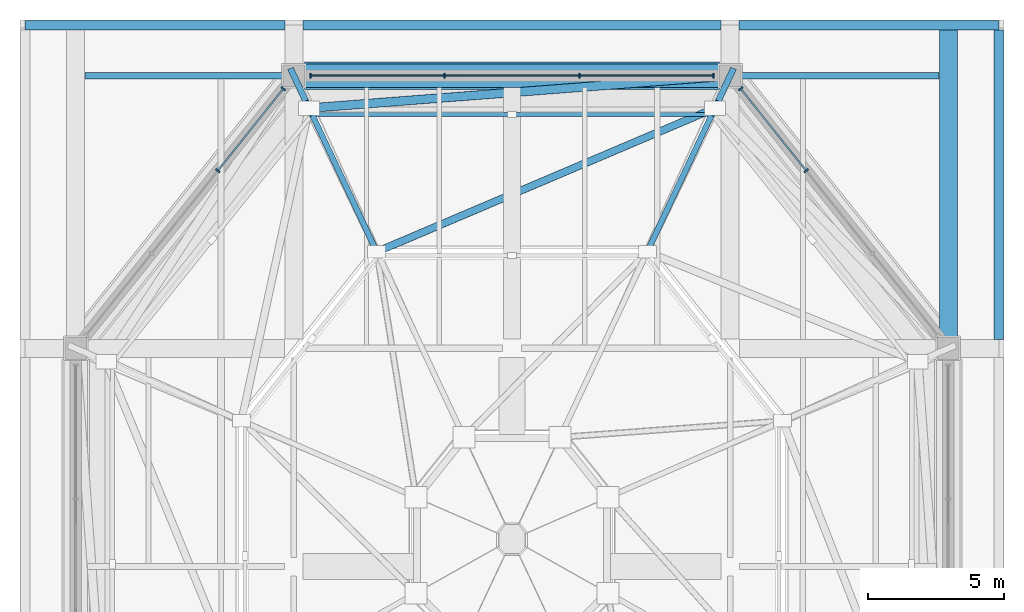
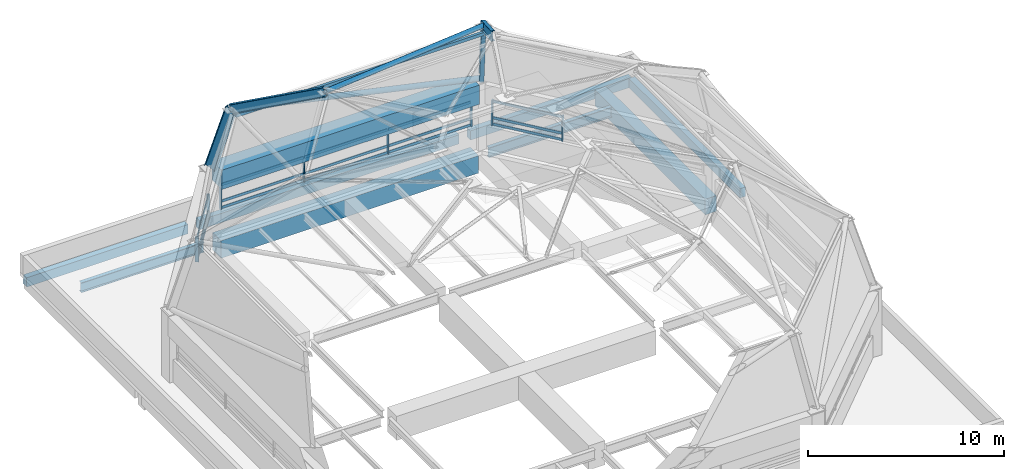
# One storey, part 7 of 10: 30 members, 9 beams, 3 elements without a shape of their own.
"""IFC4 building model written with IfcOpenShell, lengths in metres."""

from ifc_helpers import new_model, si_unit, direction, frame, origin, origin_2d, place, context, subcontext, project, spatial, rectangle, hollow_rectangle, hollow_circle, i_section, extrude, material, material_profile, profile_set, type_object, element, aggregate, save


model = new_model("IFC4")

# Units and contexts
model_context = context("Model", 3, precision=1e-05, world=origin(), true_north=direction((0.0, 1.0)))
body_context = subcontext(model_context, "Body", "Model", "MODEL_VIEW")
ifc_project = project(units=[si_unit("LENGTHUNIT", "METRE"), si_unit("AREAUNIT", "SQUARE_METRE"), si_unit("VOLUMEUNIT", "CUBIC_METRE"), si_unit("PLANEANGLEUNIT", "RADIAN"), si_unit("MASSUNIT", "GRAM", prefix="KILO")], contexts=[model_context])

# Site, building, storey
site_placement = place(None, origin())
site = spatial("IfcSite", under=ifc_project, at=site_placement, CompositionType="ELEMENT")
building_placement = place(site_placement, origin())
building = spatial("IfcBuilding", under=site, at=building_placement, Name="Pecanmere Concourse Central Library", CompositionType="ELEMENT")
storey_placement = place(building_placement, frame((0.0, 0.0, 34.800048828125)))
storey = spatial("IfcBuildingStorey", under=building, at=storey_placement, Name="ROOF", CompositionType="ELEMENT", Elevation=34.800048828125)

# Curtain wall, members
ifc_material_1 = material(Name="Anodized bronze aluminium alloy 6063-T6", Category="aluminium")
curtain_wall_type = type_object("IfcCurtainWallType", Name="CW_PORTAL_CLEAR", PredefinedType="USERDEFINED", material=ifc_material_1)
curtain_wall_1_placement = place(storey_placement, origin())
curtain_wall_1 = element("IfcCurtainWall", 1, at=curtain_wall_1_placement, inside=storey, type_object=curtain_wall_type, Name="Unitised Curtain Wall CW-03 ROOF-176", ObjectType="UNITISED CURTAIN WALL", PredefinedType="USERDEFINED")
ifc_material_2 = material(Name="Anodized bronze aluminium alloy 6063-T6", Category="aluminium")
ifc_material_profile_1 = material_profile(ifc_material_2, rectangle(XDim=0.06494140625, YDim=0.179931640625, at=origin_2d()), Name="AL 65x180")
ifc_profile_set_1 = profile_set([ifc_material_profile_1], Name="Anodized bronze aluminium alloy 6063-T6")
member_type_1 = type_object("IfcMemberType", Name="CWM_180x65", PredefinedType="MULLION", material=ifc_profile_set_1)
member_1_placement = place(storey_placement, frame((98.787353515625, 120.515625, 1.419921875), z_axis=(0.0, 0.0, 1.0), x_axis=(-0.62469714181, 0.780867134034, 0.0)))
member_1 = element("IfcMember", 2, at=member_1_placement, type_object=member_type_1, Name="CW-03 Mullion 3", PredefinedType="MULLION", context=body_context, shape_type="SweptSolid", body=[
    extrude(rectangle(XDim=0.06494140625, YDim=0.179931640625, at=origin_2d()), origin(), (0.0, 0.0, 1.0), 1.580078125),
])
member_2_placement = place(storey_placement, frame((96.382568359375, 123.521728515625, 1.419921875), z_axis=(0.0, 0.0, 1.0), x_axis=(-0.62469714181, 0.780867134034, 0.0)))
member_2 = element("IfcMember", 3, at=member_2_placement, type_object=member_type_1, Name="CW-03 Mullion 4", PredefinedType="MULLION", context=body_context, shape_type="SweptSolid", body=[
    extrude(rectangle(XDim=0.06494140625, YDim=0.179931640625, at=origin_2d()), origin(), (0.0, 0.0, 1.0), 1.580078125),
])

curtain_wall_2_placement = place(storey_placement, origin())
curtain_wall_2 = element("IfcCurtainWall", 4, at=curtain_wall_2_placement, inside=storey, type_object=curtain_wall_type, Name="Unitised Curtain Wall CW-03 ROOF-177", ObjectType="UNITISED CURTAIN WALL", PredefinedType="USERDEFINED")
member_3_placement = place(storey_placement, frame((95.387451171875, 124.0, 1.419921875), z_axis=(0.0, 0.0, 1.0), x_axis=(-1.0, 0.0, 0.0)))
member_3 = element("IfcMember", 5, at=member_3_placement, type_object=member_type_1, Name="CW-03 Mullion 1", PredefinedType="MULLION", context=body_context, shape_type="SweptSolid", body=[
    extrude(rectangle(XDim=0.06494140625, YDim=0.179931640625, at=origin_2d()), origin(), (0.0, 0.0, 1.0), 1.580078125),
])
member_4_placement = place(storey_placement, frame((90.473388671875, 124.0, 1.419921875), z_axis=(0.0, 0.0, 1.0), x_axis=(-1.0, 0.0, 0.0)))
member_4 = element("IfcMember", 6, at=member_4_placement, type_object=member_type_1, Name="CW-03 Mullion 2", PredefinedType="MULLION", context=body_context, shape_type="SweptSolid", body=[
    extrude(rectangle(XDim=0.06494140625, YDim=0.179931640625, at=origin_2d()), origin(), (0.0, 0.0, 1.0), 1.580078125),
])
member_5_placement = place(storey_placement, frame((85.526611328125, 124.0, 1.419921875), z_axis=(0.0, 0.0, 1.0), x_axis=(-1.0, 0.0, 0.0)))
member_5 = element("IfcMember", 7, at=member_5_placement, type_object=member_type_1, Name="CW-03 Mullion 3", PredefinedType="MULLION", context=body_context, shape_type="SweptSolid", body=[
    extrude(rectangle(XDim=0.06494140625, YDim=0.179931640625, at=origin_2d()), origin(), (0.0, 0.0, 1.0), 1.580078125),
])
member_6_placement = place(storey_placement, frame((80.612548828125, 124.0, 1.419921875), z_axis=(0.0, 0.0, 1.0), x_axis=(-1.0, 0.0, 0.0)))
member_6 = element("IfcMember", 8, at=member_6_placement, type_object=member_type_1, Name="CW-03 Mullion 4", PredefinedType="MULLION", context=body_context, shape_type="SweptSolid", body=[
    extrude(rectangle(XDim=0.06494140625, YDim=0.179931640625, at=origin_2d()), origin(), (0.0, 0.0, 1.0), 1.580078125),
])

curtain_wall_3_placement = place(storey_placement, origin())
curtain_wall_3 = element("IfcCurtainWall", 9, at=curtain_wall_3_placement, inside=storey, type_object=curtain_wall_type, Name="Unitised Curtain Wall CW-03 ROOF-178", ObjectType="UNITISED CURTAIN WALL", PredefinedType="USERDEFINED")
member_7_placement = place(storey_placement, frame((79.617431640625, 123.521728515625, 1.419921875), z_axis=(0.0, 0.0, 1.0), x_axis=(-0.62469714181, -0.780867134034, 0.0)))
member_7 = element("IfcMember", 10, at=member_7_placement, type_object=member_type_1, Name="CW-03 Mullion 1", PredefinedType="MULLION", context=body_context, shape_type="SweptSolid", body=[
    extrude(rectangle(XDim=0.06494140625, YDim=0.179931640625, at=origin_2d()), origin(), (0.0, 0.0, 1.0), 1.580078125),
])
member_8_placement = place(storey_placement, frame((77.212646484375, 120.515625, 1.419921875), z_axis=(0.0, 0.0, 1.0), x_axis=(-0.62469714181, -0.780867134034, 0.0)))
member_8 = element("IfcMember", 11, at=member_8_placement, type_object=member_type_1, Name="CW-03 Mullion 2", PredefinedType="MULLION", context=body_context, shape_type="SweptSolid", body=[
    extrude(rectangle(XDim=0.06494140625, YDim=0.179931640625, at=origin_2d()), origin(), (0.0, 0.0, 1.0), 1.580078125),
])

# Member
ifc_material_3 = material(Name="Anodized bronze aluminium alloy 6063-T6", Category="aluminium")
ifc_material_profile_2 = material_profile(ifc_material_3, rectangle(XDim=0.06005859375, YDim=0.159912109375, at=origin_2d()), Name="AL 60x160")
ifc_profile_set_2 = profile_set([ifc_material_profile_2], Name="Anodized bronze aluminium alloy 6063-T6")
member_type_2 = type_object("IfcMemberType", Name="CWT_160x60", PredefinedType="USERDEFINED", material=ifc_profile_set_2)
member_9_placement = place(storey_placement, frame((98.76708984375, 120.541015625, 1.5), z_axis=(-0.624695047554, 0.780868809443, 0.0), x_axis=(-0.780868809443, -0.624695047554, 0.0)))
member_9 = element("IfcMember", 12, at=member_9_placement, type_object=member_type_2, Name="CW-03 Transom 3.1", ObjectType="TRANSOM", PredefinedType="USERDEFINED", context=body_context, shape_type="SweptSolid", body=[
    extrude(rectangle(XDim=0.06005859375, YDim=0.159912109375, at=origin_2d()), origin(), (0.0, 0.0, 1.0), 3.78466796875),
])

member_10_placement = place(storey_placement, frame((98.76708984375, 120.541015625, 1.89990234375), z_axis=(-0.624695047554, 0.780868809443, 0.0), x_axis=(-0.780868809443, -0.624695047554, 0.0)))
member_10 = element("IfcMember", 13, at=member_10_placement, type_object=member_type_2, Name="CW-03 Transom 3.2", ObjectType="TRANSOM", PredefinedType="USERDEFINED", context=body_context, shape_type="SweptSolid", body=[
    extrude(rectangle(XDim=0.06005859375, YDim=0.159912109375, at=origin_2d()), origin(), (0.0, 0.0, 1.0), 3.78466796875),
])

member_11_placement = place(storey_placement, frame((98.76708984375, 120.541015625, 2.919921875), z_axis=(-0.624695047554, 0.780868809443, 0.0), x_axis=(-0.780868809443, -0.624695047554, 0.0)))
member_11 = element("IfcMember", 14, at=member_11_placement, type_object=member_type_2, Name="CW-03 Transom 3.3", ObjectType="TRANSOM", PredefinedType="USERDEFINED", context=body_context, shape_type="SweptSolid", body=[
    extrude(rectangle(XDim=0.06005859375, YDim=0.159912109375, at=origin_2d()), origin(), (0.0, 0.0, 1.0), 3.78466796875),
])

aggregate(curtain_wall_1, [member_1, member_2, member_9, member_10, member_11])

member_12_placement = place(storey_placement, frame((95.35498046875, 124.0, 1.5), z_axis=(-1.0, 0.0, 0.0), x_axis=(0.0, -1.0, 0.0)))
member_12 = element("IfcMember", 15, at=member_12_placement, type_object=member_type_2, Name="CW-03 Transom 1.1", ObjectType="TRANSOM", PredefinedType="USERDEFINED", context=body_context, shape_type="SweptSolid", body=[
    extrude(rectangle(XDim=0.06005859375, YDim=0.159912109375, at=origin_2d()), origin(), (0.0, 0.0, 1.0), 4.84912109375),
])

member_13_placement = place(storey_placement, frame((95.35498046875, 124.0, 1.89990234375), z_axis=(-1.0, 0.0, 0.0), x_axis=(0.0, -1.0, 0.0)))
member_13 = element("IfcMember", 16, at=member_13_placement, type_object=member_type_2, Name="CW-03 Transom 1.2", ObjectType="TRANSOM", PredefinedType="USERDEFINED", context=body_context, shape_type="SweptSolid", body=[
    extrude(rectangle(XDim=0.06005859375, YDim=0.159912109375, at=origin_2d()), origin(), (0.0, 0.0, 1.0), 4.84912109375),
])

member_14_placement = place(storey_placement, frame((95.35498046875, 124.0, 2.919921875), z_axis=(-1.0, 0.0, 0.0), x_axis=(0.0, -1.0, 0.0)))
member_14 = element("IfcMember", 17, at=member_14_placement, type_object=member_type_2, Name="CW-03 Transom 1.3", ObjectType="TRANSOM", PredefinedType="USERDEFINED", context=body_context, shape_type="SweptSolid", body=[
    extrude(rectangle(XDim=0.06005859375, YDim=0.159912109375, at=origin_2d()), origin(), (0.0, 0.0, 1.0), 4.84912109375),
])

member_15_placement = place(storey_placement, frame((90.44091796875, 124.0, 1.5), z_axis=(-1.0, 0.0, 0.0), x_axis=(0.0, -1.0, 0.0)))
member_15 = element("IfcMember", 18, at=member_15_placement, type_object=member_type_2, Name="CW-03 Transom 2.1", ObjectType="TRANSOM", PredefinedType="USERDEFINED", context=body_context, shape_type="SweptSolid", body=[
    extrude(rectangle(XDim=0.06005859375, YDim=0.159912109375, at=origin_2d()), origin(), (0.0, 0.0, 1.0), 4.8818359375),
])

member_16_placement = place(storey_placement, frame((90.44091796875, 124.0, 1.89990234375), z_axis=(-1.0, 0.0, 0.0), x_axis=(0.0, -1.0, 0.0)))
member_16 = element("IfcMember", 19, at=member_16_placement, type_object=member_type_2, Name="CW-03 Transom 2.2", ObjectType="TRANSOM", PredefinedType="USERDEFINED", context=body_context, shape_type="SweptSolid", body=[
    extrude(rectangle(XDim=0.06005859375, YDim=0.159912109375, at=origin_2d()), origin(), (0.0, 0.0, 1.0), 4.8818359375),
])

member_17_placement = place(storey_placement, frame((90.44091796875, 124.0, 2.919921875), z_axis=(-1.0, 0.0, 0.0), x_axis=(0.0, -1.0, 0.0)))
member_17 = element("IfcMember", 20, at=member_17_placement, type_object=member_type_2, Name="CW-03 Transom 2.3", ObjectType="TRANSOM", PredefinedType="USERDEFINED", context=body_context, shape_type="SweptSolid", body=[
    extrude(rectangle(XDim=0.06005859375, YDim=0.159912109375, at=origin_2d()), origin(), (0.0, 0.0, 1.0), 4.8818359375),
])

member_18_placement = place(storey_placement, frame((85.494140625, 124.0, 1.5), z_axis=(-1.0, 0.0, 0.0), x_axis=(0.0, -1.0, 0.0)))
member_18 = element("IfcMember", 21, at=member_18_placement, type_object=member_type_2, Name="CW-03 Transom 3.1", ObjectType="TRANSOM", PredefinedType="USERDEFINED", context=body_context, shape_type="SweptSolid", body=[
    extrude(rectangle(XDim=0.06005859375, YDim=0.159912109375, at=origin_2d()), origin(), (0.0, 0.0, 1.0), 4.84912109375),
])

member_19_placement = place(storey_placement, frame((85.494140625, 124.0, 1.89990234375), z_axis=(-1.0, 0.0, 0.0), x_axis=(0.0, -1.0, 0.0)))
member_19 = element("IfcMember", 22, at=member_19_placement, type_object=member_type_2, Name="CW-03 Transom 3.2", ObjectType="TRANSOM", PredefinedType="USERDEFINED", context=body_context, shape_type="SweptSolid", body=[
    extrude(rectangle(XDim=0.06005859375, YDim=0.159912109375, at=origin_2d()), origin(), (0.0, 0.0, 1.0), 4.84912109375),
])

member_20_placement = place(storey_placement, frame((85.494140625, 124.0, 2.919921875), z_axis=(-1.0, 0.0, 0.0), x_axis=(0.0, -1.0, 0.0)))
member_20 = element("IfcMember", 23, at=member_20_placement, type_object=member_type_2, Name="CW-03 Transom 3.3", ObjectType="TRANSOM", PredefinedType="USERDEFINED", context=body_context, shape_type="SweptSolid", body=[
    extrude(rectangle(XDim=0.06005859375, YDim=0.159912109375, at=origin_2d()), origin(), (0.0, 0.0, 1.0), 4.84912109375),
])

aggregate(curtain_wall_2, [member_3, member_4, member_5, member_6, member_12, member_13, member_14, member_15, member_16, member_17, member_18, member_19, member_20])

member_21_placement = place(storey_placement, frame((79.59716796875, 123.496337890625, 1.5), z_axis=(-0.624695047554, -0.780868809443, 0.0), x_axis=(0.780868809443, -0.624695047554, 0.0)))
member_21 = element("IfcMember", 24, at=member_21_placement, type_object=member_type_2, Name="CW-03 Transom 1.1", ObjectType="TRANSOM", PredefinedType="USERDEFINED", context=body_context, shape_type="SweptSolid", body=[
    extrude(rectangle(XDim=0.06005859375, YDim=0.159912109375, at=origin_2d()), origin(), (0.0, 0.0, 1.0), 3.78466796875),
])

member_22_placement = place(storey_placement, frame((79.59716796875, 123.496337890625, 1.89990234375), z_axis=(-0.624695047554, -0.780868809443, 0.0), x_axis=(0.780868809443, -0.624695047554, 0.0)))
member_22 = element("IfcMember", 25, at=member_22_placement, type_object=member_type_2, Name="CW-03 Transom 1.2", ObjectType="TRANSOM", PredefinedType="USERDEFINED", context=body_context, shape_type="SweptSolid", body=[
    extrude(rectangle(XDim=0.06005859375, YDim=0.159912109375, at=origin_2d()), origin(), (0.0, 0.0, 1.0), 3.78466796875),
])

member_23_placement = place(storey_placement, frame((79.59716796875, 123.496337890625, 2.919921875), z_axis=(-0.624695047554, -0.780868809443, 0.0), x_axis=(0.780868809443, -0.624695047554, 0.0)))
member_23 = element("IfcMember", 26, at=member_23_placement, type_object=member_type_2, Name="CW-03 Transom 1.3", ObjectType="TRANSOM", PredefinedType="USERDEFINED", context=body_context, shape_type="SweptSolid", body=[
    extrude(rectangle(XDim=0.06005859375, YDim=0.159912109375, at=origin_2d()), origin(), (0.0, 0.0, 1.0), 3.78466796875),
])

aggregate(curtain_wall_3, [member_7, member_8, member_21, member_22, member_23])

# Beam
ifc_material_4 = material(Name="Concrete C40/50", Category="concrete")
ifc_material_profile_3 = material_profile(ifc_material_4, rectangle(XDim=0.659912109375, YDim=0.97998046875, at=origin_2d()), Name="RC 660x980")
ifc_profile_set_3 = profile_set([ifc_material_profile_3], Name="Concrete C40/50")
beam_type_1 = type_object("IfcBeamType", Name="GRD_660x980", PredefinedType="USERDEFINED", material=ifc_profile_set_3)
beam_1_placement = place(storey_placement, frame((104.0, 114.39990234375, -0.72998046875), z_axis=(0.0, 1.0, 0.0), x_axis=(-1.0, 0.0, 0.0)))
element("IfcBeam", 27, at=beam_1_placement, inside=storey, type_object=beam_type_1, Name="Primary Girder Y ROOF-2885", ObjectType="GIRDER", PredefinedType="USERDEFINED", context=body_context, shape_type="SweptSolid", body=[
    extrude(rectangle(XDim=0.659912109375, YDim=0.97998046875, at=origin_2d()), origin(), (0.0, 0.0, 1.0), 11.281494140625),
])

# Members
ifc_material_5 = material(Name="Structural steel ASTM A500 Grade C", Category="steel")
ifc_material_profile_4 = material_profile(ifc_material_5, hollow_circle(Radius=0.162109375, WallThickness=0.0126953125, at=origin_2d()), Name="HSS323.9x12.7")
ifc_profile_set_4 = profile_set([ifc_material_profile_4], Name="Structural steel ASTM A500 Grade C")
member_type_3 = type_object("IfcMemberType", Name="MEM_BRACE_1", PredefinedType="BRACE", material=ifc_profile_set_4)
member_24_placement = place(storey_placement, frame((96.0, 124.0, 4.199951171875), z_axis=(-0.96227996235, -0.074161989445, 0.261758043584), x_axis=(0.076841169956, -0.9970433464, 0.0)))
element("IfcMember", 28, at=member_24_placement, inside=storey, type_object=member_type_3, Name="Dome Lower Wind Brace 5", PredefinedType="BRACE", context=body_context, shape_type="SweptSolid", body=[
    extrude(hollow_circle(Radius=0.162109375, WallThickness=0.0126953125, at=origin_2d()), origin(), (0.0, 0.0, 1.0), 16.045166015625),
])
ifc_material_6 = material(Name="Structural steel ASTM A500 Grade C", Category="steel")
ifc_material_profile_5 = material_profile(ifc_material_6, hollow_circle(Radius=0.136474609375, WallThickness=0.0126953125, at=origin_2d()), Name="HSS273.1x12.7")
ifc_profile_set_5 = profile_set([ifc_material_profile_5], Name="Structural steel ASTM A500 Grade C")
member_type_4 = type_object("IfcMemberType", Name="MEM_BRACE_2", PredefinedType="BRACE", material=ifc_profile_set_5)
member_25_placement = place(storey_placement, frame((95.43994140625, 122.81005859375, 8.39990234375), z_axis=(-0.892352581092, -0.379254239327, 0.244689789267), x_axis=(0.391144477353, -0.920329287721, 0.0)))
element("IfcMember", 29, at=member_25_placement, inside=storey, type_object=member_type_4, Name="Dome Upper Wind Brace 5", PredefinedType="BRACE", context=body_context, shape_type="SweptSolid", body=[
    extrude(hollow_circle(Radius=0.136474609375, WallThickness=0.0126953125, at=origin_2d()), origin(), (0.0, 0.0, 1.0), 13.895751953125),
])
ifc_material_7 = material(Name="Structural steel ASTM A992 Grade 50", Category="steel")
ifc_material_profile_6 = material_profile(ifc_material_7, i_section(OverallWidth=0.22998046875, OverallDepth=0.616943359375, WebThickness=0.01318359375, FlangeThickness=0.022216796875, at=origin_2d()), Name="W610x140")
ifc_profile_set_6 = profile_set([ifc_material_profile_6], Name="Structural steel ASTM A992 Grade 50")
member_type_5 = type_object("IfcMemberType", Name="MEM_DOME_RIB_1", PredefinedType="USERDEFINED", material=ifc_profile_set_6)
for number, where, z_axis, x_axis, name in (
    (30, (96.0, 124.0, 4.199951171875), (-0.127255758582, -0.270376882009, 0.954307242759), (0.904793458222, -0.425850675659, 0.0), "Octagonal Dome Arch Rib 5 Tier 1"),
    (31, (80.0, 124.0, 4.199951171875), (0.127255758582, -0.270376882009, 0.954307242759), (0.904793458222, 0.425850675659, 0.0), "Octagonal Dome Arch Rib 6 Tier 1"),
):
    element("IfcMember", number, at=place(storey_placement, frame(where, z_axis=z_axis, x_axis=x_axis)), inside=storey, type_object=member_type_5, Name=name, ObjectType="ARCH_SEGMENT", PredefinedType="USERDEFINED", context=body_context, shape_type="SweptSolid", body=[
        extrude(i_section(OverallWidth=0.22998046875, OverallDepth=0.616943359375, WebThickness=0.01318359375, FlangeThickness=0.022216796875, at=origin_2d()), origin(), (0.0, 0.0, 1.0), 4.401123046875),
    ])
ifc_material_8 = material(Name="Structural steel ASTM A992 Grade 50", Category="steel")
ifc_material_profile_7 = material_profile(ifc_material_8, i_section(OverallWidth=0.2109375, OverallDepth=0.5390625, WebThickness=0.01171875, FlangeThickness=0.018798828125, at=origin_2d()), Name="W530x109")
ifc_profile_set_7 = profile_set([ifc_material_profile_7], Name="Structural steel ASTM A992 Grade 50")
member_type_6 = type_object("IfcMemberType", Name="MEM_DOME_RIB_2", PredefinedType="USERDEFINED", material=ifc_profile_set_7)
for number, where, z_axis, x_axis, name in (
    (32, (95.43994140625, 122.81005859375, 8.39990234375), (-0.367719788027, -0.781413599563, 0.504157657793), (0.904820602113, -0.425792998993, 0.0), "Octagonal Dome Arch Rib 5 Tier 2"),
    (33, (80.56005859375, 122.81005859375, 8.39990234375), (0.367719788027, -0.781413599563, 0.504157657793), (0.904820602113, 0.425792998993, 0.0), "Octagonal Dome Arch Rib 6 Tier 2"),
):
    element("IfcMember", number, at=place(storey_placement, frame(where, z_axis=z_axis, x_axis=x_axis)), inside=storey, type_object=member_type_6, Name=name, ObjectType="ARCH_SEGMENT", PredefinedType="USERDEFINED", context=body_context, shape_type="SweptSolid", body=[
        extrude(i_section(OverallWidth=0.2109375, OverallDepth=0.5390625, WebThickness=0.01171875, FlangeThickness=0.018798828125, at=origin_2d()), origin(), (0.0, 0.0, 1.0), 6.744140625),
    ])
ifc_material_9 = material(Name="Structural steel ASTM A500 Grade C", Category="steel")
ifc_material_profile_8 = material_profile(ifc_material_9, hollow_rectangle(XDim=0.152099609375, YDim=0.202880859375, WallThickness=0.009521484375, at=origin_2d()), Name="HSS203x152x9.5")
ifc_profile_set_8 = profile_set([ifc_material_profile_8], Name="Structural steel ASTM A500 Grade C")
member_type_7 = type_object("IfcMemberType", Name="MEM_PURLIN_1", PredefinedType="PURLIN", material=ifc_profile_set_8)
member_26_placement = place(storey_placement, frame((95.327880859375, 122.572021484375, 8.099853515625), z_axis=(-1.0, 0.0, 0.0), x_axis=(0.0, -1.0, 0.0)))
element("IfcMember", 34, at=member_26_placement, inside=storey, type_object=member_type_7, Name="Dome Octagonal Purlin Ring 1.5", PredefinedType="PURLIN", context=body_context, shape_type="SweptSolid", body=[
    extrude(hollow_rectangle(XDim=0.152099609375, YDim=0.202880859375, WallThickness=0.009521484375, at=origin_2d()), origin(), (0.0, 0.0, 1.0), 14.65576171875),
])

# Beams
ifc_material_10 = material(Name="Concrete C40/50", Category="concrete")
ifc_material_profile_9 = material_profile(ifc_material_10, rectangle(XDim=1.0, YDim=1.199951171875, at=origin_2d()), Name="RC 1000x1200")
ifc_profile_set_9 = profile_set([ifc_material_profile_9], Name="Concrete C40/50")
beam_type_2 = type_object("IfcBeamType", Name="RB_1000x1200", PredefinedType="BEAM", material=ifc_profile_set_9)
beam_2_placement = place(storey_placement, frame((95.60009765625, 124.0, 3.599853515625), z_axis=(-1.0, 0.0, 0.0), x_axis=(0.0, -1.0, 0.0)))
element("IfcBeam", 35, at=beam_2_placement, inside=storey, type_object=beam_type_2, Name="Dome Tension Ring Beam Segment 5", PredefinedType="BEAM", context=body_context, shape_type="SweptSolid", body=[
    extrude(rectangle(XDim=1.0, YDim=1.199951171875, at=origin_2d()), origin(), (0.0, 0.0, 1.0), 15.2001953125),
])
ifc_material_11 = material(Name="Concrete C40/50", Category="concrete")
ifc_material_profile_10 = material_profile(ifc_material_11, rectangle(XDim=0.85009765625, YDim=1.10009765625, at=origin_2d()), Name="RC 850x1100")
ifc_profile_set_10 = profile_set([ifc_material_profile_10], Name="Concrete C40/50")
beam_type_3 = type_object("IfcBeamType", Name="RB_850x1100", PredefinedType="BEAM", material=ifc_profile_set_10)
beam_3_placement = place(storey_placement, frame((95.60009765625, 124.0, -0.7900390625), z_axis=(-1.0, 0.0, 0.0), x_axis=(0.0, -1.0, 0.0)))
element("IfcBeam", 36, at=beam_3_placement, inside=storey, type_object=beam_type_3, Name="Drum Base Ring Girder Segment 5", PredefinedType="BEAM", context=body_context, shape_type="SweptSolid", body=[
    extrude(rectangle(XDim=0.85009765625, YDim=1.10009765625, at=origin_2d()), origin(), (0.0, 0.0, 1.0), 15.2001953125),
])
ifc_material_12 = material(Name="Structural steel ASTM A992 Grade 50", Category="steel")
ifc_material_profile_11 = material_profile(ifc_material_12, i_section(OverallWidth=0.22998046875, OverallDepth=0.616943359375, WebThickness=0.01318359375, FlangeThickness=0.022216796875, at=origin_2d()), Name="W610x140")
ifc_profile_set_11 = profile_set([ifc_material_profile_11], Name="Structural steel ASTM A992 Grade 50")
beam_type_4 = type_object("IfcBeamType", Name="SBM_W610x140", PredefinedType="USERDEFINED", material=ifc_profile_set_11)
for number, where, z_axis, x_axis, name in (
    (37, (72.340087890625, 124.0, -0.548583984375), (1.0, 0.0, 0.0), (0.0, 1.0, 0.0), "Primary Girder X ROOF-2869"),
    (38, (96.39990234375, 124.0, -0.548583984375), (1.0, 0.0, 0.0), (0.0, 1.0, 0.0), "Primary Girder X ROOF-2870"),
):
    element("IfcBeam", number, at=place(storey_placement, frame(where, z_axis=z_axis, x_axis=x_axis)), inside=storey, type_object=beam_type_4, Name=name, ObjectType="GIRDER", PredefinedType="USERDEFINED", context=body_context, shape_type="SweptSolid", body=[
        extrude(i_section(OverallWidth=0.22998046875, OverallDepth=0.616943359375, WebThickness=0.01318359375, FlangeThickness=0.022216796875, at=origin_2d()), origin(), (0.0, 0.0, 1.0), 7.260009765625),
    ])
ifc_material_13 = material(Name="Concrete C40/50", Category="concrete")
ifc_material_profile_12 = material_profile(ifc_material_13, rectangle(XDim=0.340087890625, YDim=0.580078125, at=origin_2d()), Name="RC 340x580")
ifc_profile_set_12 = profile_set([ifc_material_profile_12], Name="Concrete C40/50")
beam_type_5 = type_object("IfcBeamType", Name="SPB_340x580", PredefinedType="BEAM", material=ifc_profile_set_12)
beam_4_placement = place(storey_placement, frame((70.1484375, 125.8515625, -0.530029296875), z_axis=(1.0, 0.0, 0.0), x_axis=(0.0, 1.0, 0.0)))
element("IfcBeam", 39, at=beam_4_placement, inside=storey, type_object=beam_type_5, Name="Leaning Facade Edge Beam ROOF-2889", PredefinedType="BEAM", context=body_context, shape_type="SweptSolid", body=[
    extrude(rectangle(XDim=0.340087890625, YDim=0.580078125, at=origin_2d()), origin(), (0.0, 0.0, 1.0), 9.521484375),
])
beam_5_placement = place(storey_placement, frame((80.330078125, 125.8515625, -0.530029296875), z_axis=(1.0, 0.0, 0.0), x_axis=(0.0, 1.0, 0.0)))
element("IfcBeam", 40, at=beam_5_placement, inside=storey, type_object=beam_type_5, Name="Leaning Facade Edge Beam ROOF-2890", PredefinedType="BEAM", context=body_context, shape_type="SweptSolid", body=[
    extrude(rectangle(XDim=0.340087890625, YDim=0.580078125, at=origin_2d()), origin(), (0.0, 0.0, 1.0), 15.33984375),
])
beam_6_placement = place(storey_placement, frame((96.330078125, 125.8515625, -0.530029296875), z_axis=(1.0, 0.0, 0.0), x_axis=(0.0, 1.0, 0.0)))
element("IfcBeam", 41, at=beam_6_placement, inside=storey, type_object=beam_type_5, Name="Leaning Facade Edge Beam ROOF-2891", PredefinedType="BEAM", context=body_context, shape_type="SweptSolid", body=[
    extrude(rectangle(XDim=0.340087890625, YDim=0.580078125, at=origin_2d()), origin(), (0.0, 0.0, 1.0), 9.521484375),
])
beam_7_placement = place(storey_placement, frame((105.8515625, 114.330078125, -0.530029296875), z_axis=(0.0, 1.0, 0.0), x_axis=(-1.0, 0.0, 0.0)))
element("IfcBeam", 42, at=beam_7_placement, inside=storey, type_object=beam_type_5, Name="Leaning Facade Edge Beam ROOF-2897", PredefinedType="BEAM", context=body_context, shape_type="SweptSolid", body=[
    extrude(rectangle(XDim=0.340087890625, YDim=0.580078125, at=origin_2d()), origin(), (0.0, 0.0, 1.0), 11.351318359375),
])

save(model, "model.ifc")
